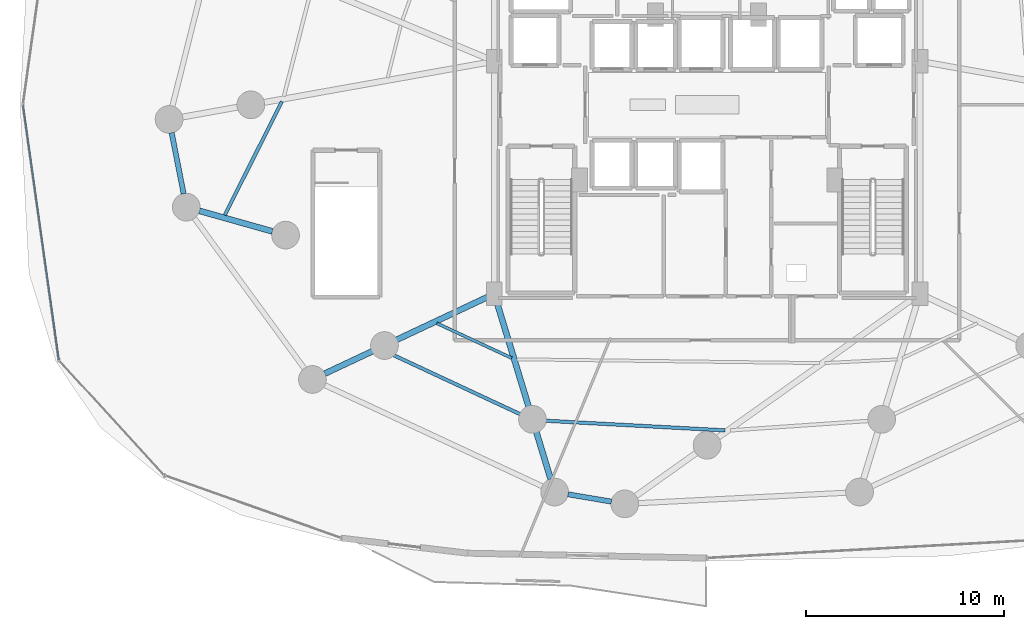
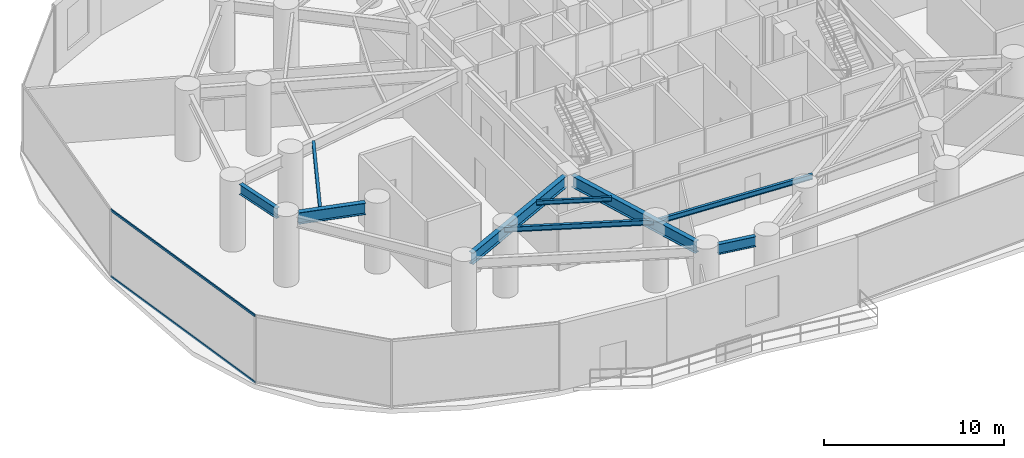
# One storey, part 6 of 32: 9 beams, 2 members, 1 element without a shape of its own.
"""IFC4 building model written with IfcOpenShell, lengths in metres."""

from ifc_helpers import new_model, si_unit, direction, frame, origin, origin_2d, place, context, subcontext, project, spatial, hollow_rectangle, i_section, extrude, material, material_profile, profile_set, type_object, element, aggregate, save


model = new_model("IFC4")

# Units and contexts
model_context = context("Model", 3, precision=1e-05, world=origin(), true_north=direction((0.0, 1.0)))
body_context = subcontext(model_context, "Body", "Model", "MODEL_VIEW")
ifc_project = project(units=[si_unit("LENGTHUNIT", "METRE"), si_unit("AREAUNIT", "SQUARE_METRE"), si_unit("VOLUMEUNIT", "CUBIC_METRE"), si_unit("PLANEANGLEUNIT", "RADIAN"), si_unit("MASSUNIT", "GRAM", prefix="KILO")], contexts=[model_context])

# Site, building, storey
site_placement = place(None, origin())
site = spatial("IfcSite", under=ifc_project, at=site_placement, CompositionType="ELEMENT")
building_placement = place(site_placement, origin())
building = spatial("IfcBuilding", under=site, at=building_placement, Name="Vorneva Point Tower", CompositionType="ELEMENT")
storey_placement = place(building_placement, frame((0.0, 0.0, 19.199951171875)))
storey = spatial("IfcBuildingStorey", under=building, at=storey_placement, Name="L04", CompositionType="ELEMENT", Elevation=19.199951171875)

# Beams
ifc_material_1 = material(Name="Steel S355", Category="steel")
ifc_material_profile_1 = material_profile(ifc_material_1, i_section(OverallWidth=0.300048828125, OverallDepth=0.7880859375, WebThickness=0.014404296875, FlangeThickness=0.02197265625, at=origin_2d()), Name="80Sh1")
ifc_profile_set_1 = profile_set([ifc_material_profile_1], Name="Steel S355")
beam_type_1 = type_object("IfcBeamType", Name="BM-GRD-80Sh1", PredefinedType="USERDEFINED", material=ifc_profile_set_1)
beam_1_placement = place(storey_placement, frame((12.350341796875, 20.643310546875, 4.14599609375), z_axis=(0.962602189028, -0.270918854418, 0.0), x_axis=(0.270918854418, 0.962602189028, 0.0)))
element("IfcBeam", 1, at=beam_1_placement, inside=storey, type_object=beam_type_1, Name="L04 Radial Primary Girder 10", ObjectType="GIRDER", PredefinedType="USERDEFINED", context=body_context, shape_type="SweptSolid", body=[
    extrude(i_section(OverallWidth=0.300048828125, OverallDepth=0.7880859375, WebThickness=0.014404296875, FlangeThickness=0.02197265625, at=origin_2d()), origin(), (0.0, 0.0, 1.0), 3.83544921875),
])
beam_2_placement = place(storey_placement, frame((18.683837890625, 12.417236328125, 4.14599609375), z_axis=(0.904752620724, 0.425937431195, 0.0), x_axis=(-0.425937431195, 0.904752620724, 0.0)))
element("IfcBeam", 2, at=beam_2_placement, inside=storey, type_object=beam_type_1, Name="L04 Radial Primary Girder 11", ObjectType="GIRDER", PredefinedType="USERDEFINED", context=body_context, shape_type="SweptSolid", body=[
    extrude(i_section(OverallWidth=0.300048828125, OverallDepth=0.7880859375, WebThickness=0.014404296875, FlangeThickness=0.02197265625, at=origin_2d()), origin(), (0.0, 0.0, 1.0), 9.1279296875),
])
beam_3_placement = place(storey_placement, frame((30.0966796875, 7.093505859375, 4.14599609375), z_axis=(-0.291056642682, 0.956705822471, 0.0), x_axis=(-0.956705822471, -0.291056642682, 0.0)))
element("IfcBeam", 3, at=beam_3_placement, inside=storey, type_object=beam_type_1, Name="L04 Radial Primary Girder 12", ObjectType="GIRDER", PredefinedType="USERDEFINED", context=body_context, shape_type="SweptSolid", body=[
    extrude(i_section(OverallWidth=0.300048828125, OverallDepth=0.7880859375, WebThickness=0.014404296875, FlangeThickness=0.02197265625, at=origin_2d()), origin(), (0.0, 0.0, 1.0), 9.43994140625),
])
ifc_material_profile_2 = material_profile(ifc_material_1, i_section(OverallWidth=0.14892578125, OverallDepth=0.298095703125, WebThickness=0.005615234375, FlangeThickness=0.008056640625, at=origin_2d()), Name="30B1")
ifc_profile_set_2 = profile_set([ifc_material_profile_2], Name="Steel S355")
beam_type_2 = type_object("IfcBeamType", Name="BM-JST-30B1", PredefinedType="JOIST", material=ifc_profile_set_2)
beam_4_placement = place(storey_placement, frame((24.34228515625, 14.964111328125, 4.39111328125), z_axis=(0.906770474611, -0.421624603616, 0.0), x_axis=(0.421624603616, 0.906770474611, 0.0)))
element("IfcBeam", 4, at=beam_4_placement, inside=storey, type_object=beam_type_2, Name="L04 Secondary Floor Beam 2.11", PredefinedType="JOIST", context=body_context, shape_type="SweptSolid", body=[
    extrude(i_section(OverallWidth=0.14892578125, OverallDepth=0.298095703125, WebThickness=0.005615234375, FlangeThickness=0.008056640625, at=origin_2d()), origin(), (0.0, 0.0, 1.0), 4.177734375),
])
ifc_material_profile_3 = material_profile(ifc_material_1, i_section(OverallWidth=0.174072265625, OverallDepth=0.345947265625, WebThickness=0.006103515625, FlangeThickness=0.009033203125, at=origin_2d()), Name="35B1")
ifc_profile_set_3 = profile_set([ifc_material_profile_3], Name="Steel S355")
beam_type_3 = type_object("IfcBeamType", Name="BM-SEC-35B1", PredefinedType="BEAM", material=ifc_profile_set_3)
beam_5_placement = place(storey_placement, frame((16.521728515625, 26.1689453125, 4.366943359375), z_axis=(-0.449474531418, -0.893293146513, 0.0), x_axis=(0.893293146513, -0.449474531418, 0.0)))
element("IfcBeam", 5, at=beam_5_placement, inside=storey, type_object=beam_type_3, Name="L04 Secondary Floor Beam 1.09", PredefinedType="BEAM", context=body_context, shape_type="SweptSolid", body=[
    extrude(i_section(OverallWidth=0.174072265625, OverallDepth=0.345947265625, WebThickness=0.006103515625, FlangeThickness=0.009033203125, at=origin_2d()), origin(), (0.0, 0.0, 1.0), 6.431640625),
])
beam_6_placement = place(storey_placement, frame((21.5341796875, 13.641845703125, 4.366943359375), z_axis=(0.906389479808, -0.422443026802, 0.0), x_axis=(0.422443026802, 0.906389479808, 0.0)))
element("IfcBeam", 6, at=beam_6_placement, inside=storey, type_object=beam_type_3, Name="L04 Secondary Floor Beam 1.11", PredefinedType="BEAM", context=body_context, shape_type="SweptSolid", body=[
    extrude(i_section(OverallWidth=0.174072265625, OverallDepth=0.345947265625, WebThickness=0.006103515625, FlangeThickness=0.009033203125, at=origin_2d()), origin(), (0.0, 0.0, 1.0), 8.308349609375),
])
beam_7_placement = place(storey_placement, frame((29.32763671875, 10.06640625, 4.366943359375), z_axis=(0.998554481092, -0.053748937586, 0.0), x_axis=(0.053748937586, 0.998554481092, 0.0)))
element("IfcBeam", 7, at=beam_7_placement, inside=storey, type_object=beam_type_3, Name="L04 Secondary Floor Beam 1.12", PredefinedType="BEAM", context=body_context, shape_type="SweptSolid", body=[
    extrude(i_section(OverallWidth=0.174072265625, OverallDepth=0.345947265625, WebThickness=0.006103515625, FlangeThickness=0.009033203125, at=origin_2d()), origin(), (0.0, 0.0, 1.0), 9.59326171875),
])
ifc_material_profile_4 = material_profile(ifc_material_1, i_section(OverallWidth=0.260009765625, OverallDepth=0.69091796875, WebThickness=0.011962890625, FlangeThickness=0.015380859375, at=origin_2d()), Name="70B1")
ifc_profile_set_4 = profile_set([ifc_material_profile_4], Name="Steel S355")
beam_type_4 = type_object("IfcBeamType", Name="BM-SPN-70B1", PredefinedType="SPANDREL", material=ifc_profile_set_4)
beam_8_placement = place(storey_placement, frame((10.949951171875, 24.588623046875, 4.194580078125), z_axis=(0.192697267272, -0.981258255092, 0.0), x_axis=(0.981258255092, 0.192697267272, 0.0)))
element("IfcBeam", 8, at=beam_8_placement, inside=storey, type_object=beam_type_4, Name="L04 Perimeter Spandrel Ring Beam 09", PredefinedType="SPANDREL", context=body_context, shape_type="SweptSolid", body=[
    extrude(i_section(OverallWidth=0.260009765625, OverallDepth=0.69091796875, WebThickness=0.011962890625, FlangeThickness=0.015380859375, at=origin_2d()), origin(), (0.0, 0.0, 1.0), 3.145751953125),
])
beam_9_placement = place(storey_placement, frame((30.972412109375, 6.32177734375, 4.194580078125), z_axis=(0.986173405791, -0.165716666964, 0.0), x_axis=(0.165716666964, 0.986173405791, 0.0)))
element("IfcBeam", 9, at=beam_9_placement, inside=storey, type_object=beam_type_4, Name="L04 Perimeter Spandrel Ring Beam 12", PredefinedType="SPANDREL", context=body_context, shape_type="SweptSolid", body=[
    extrude(i_section(OverallWidth=0.260009765625, OverallDepth=0.69091796875, WebThickness=0.011962890625, FlangeThickness=0.015380859375, at=origin_2d()), origin(), (0.0, 0.0, 1.0), 2.22314453125),
])

# Curtain wall, members
ifc_material_2 = material(Name="Pale anodised aluminium", Category="aluminium")
curtain_wall_type = type_object("IfcCurtainWallType", Name="CW-POD-SYS", PredefinedType="NOTDEFINED", material=ifc_material_2)
curtain_wall_placement = place(storey_placement, origin())
curtain_wall = element("IfcCurtainWall", 10, at=curtain_wall_placement, inside=storey, type_object=curtain_wall_type, Name="L04 Unitised Curtain Wall CW-L04-R03", PredefinedType="NOTDEFINED")
ifc_material_profile_5 = material_profile(ifc_material_2, hollow_rectangle(XDim=0.074951171875, YDim=0.14990234375, WallThickness=0.00390625, at=origin_2d()), Name="AL-TRN 150x75x4")
ifc_profile_set_5 = profile_set([ifc_material_profile_5], Name="Pale anodised aluminium")
member_type = type_object("IfcMemberType", Name="CW-TRN-150", PredefinedType="USERDEFINED", material=ifc_profile_set_5)
member_1_placement = place(storey_placement, frame((3.439208984375, 26.0, 0.02001953125), z_axis=(0.139123505787, -0.990275037622, 0.0), x_axis=(0.990275037622, 0.139123505787, 0.0)))
member_1 = element("IfcMember", 11, at=member_1_placement, type_object=member_type, Name="CW-L04-R03 Transom 03.1", ObjectType="TRANSOM", PredefinedType="USERDEFINED", context=body_context, shape_type="SweptSolid", body=[
    extrude(hollow_rectangle(XDim=0.074951171875, YDim=0.14990234375, WallThickness=0.00390625, at=origin_2d()), origin(), (0.0, 0.0, 1.0), 13.017578125),
])
member_2_placement = place(storey_placement, frame((3.439208984375, 26.0, 4.52001953125), z_axis=(0.139123505787, -0.990275037622, 0.0), x_axis=(0.990275037622, 0.139123505787, 0.0)))
member_2 = element("IfcMember", 12, at=member_2_placement, type_object=member_type, Name="CW-L04-R03 Transom 03.2", ObjectType="TRANSOM", PredefinedType="USERDEFINED", context=body_context, shape_type="SweptSolid", body=[
    extrude(hollow_rectangle(XDim=0.074951171875, YDim=0.14990234375, WallThickness=0.00390625, at=origin_2d()), origin(), (0.0, 0.0, 1.0), 13.017578125),
])
aggregate(curtain_wall, [member_1, member_2])

save(model, "model.ifc")
